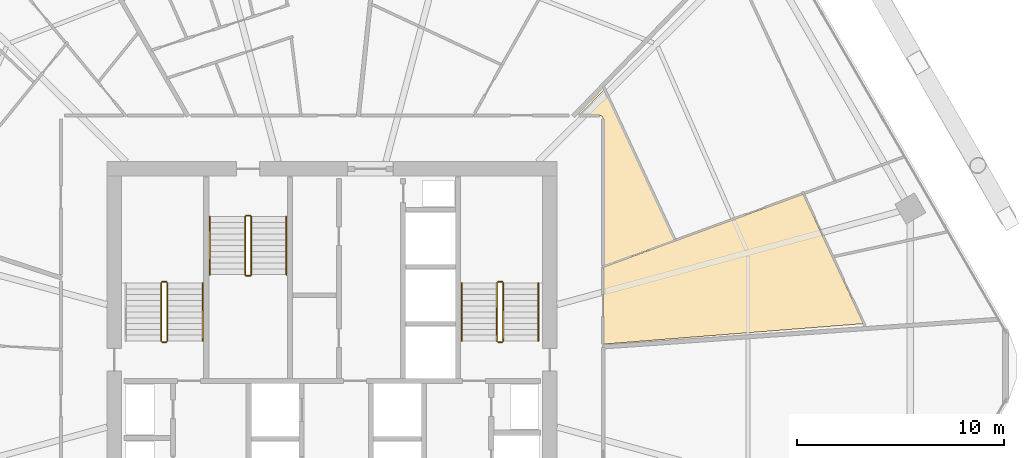
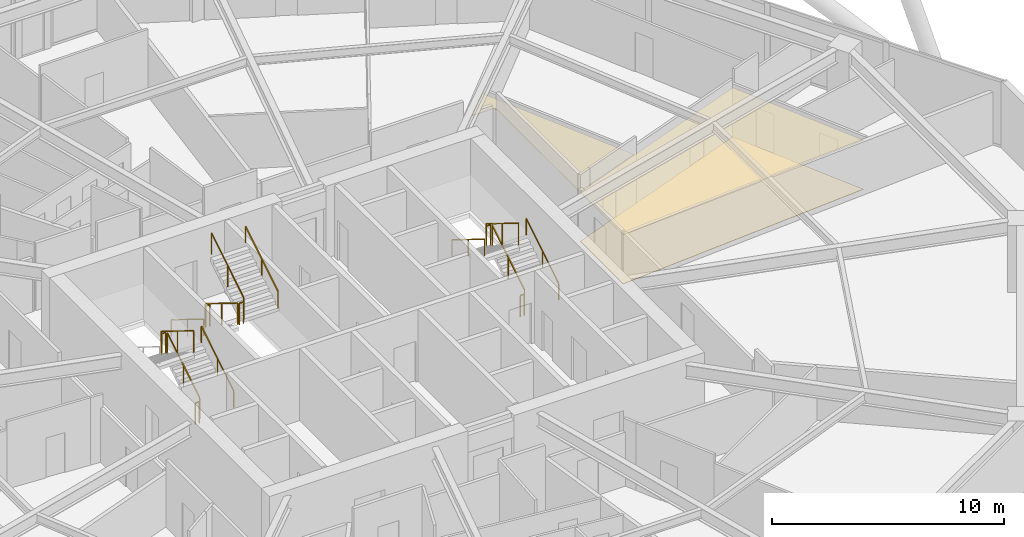
# One storey, part 34 of 35: 17 railings, 3 coverings.
"""IFC4 building model written with IfcOpenShell, lengths in metres."""

import ifcopenshell
import ifcopenshell.guid

model = None  # the IFC model being written
_history = None  # IfcOwnerHistory: only IFC2X3 demands one
_inside = {}  # id of a spatial element -> (the spatial element, [elements in it])
_under = {}  # id of a project, library or spatial element -> (it, [spatial elements below it])
_declared = {}  # id of a project -> (the project, [libraries it declares])
_typed = {}  # id of a type object -> (the type object, [elements of that type])
_made_of = {}  # id of a material, layer set ... -> (it, [elements and type objects made of it])


def new_model(schema):
    """Start an empty IFC model of exactly this schema.

    Asked for "IFC4X3", IfcOpenShell would pick the latest addendum, in which some entities
    have other attributes; the version numbers below select the first issue.
    IFC2X3 requires an IfcOwnerHistory on every rooted entity: one is made here for all.
    """
    global model, _history
    if schema == "IFC4X3":
        model = ifcopenshell.file(schema_version=(4, 3, 0, 0))
    else:
        model = ifcopenshell.file(schema=schema)
    _inside.clear()
    _under.clear()
    _declared.clear()
    _typed.clear()
    _made_of.clear()
    _history = None
    if model.schema == "IFC2X3":
        org = make("IfcOrganization", Name="unknown")
        user = make(
            "IfcPersonAndOrganization",
            ThePerson=make("IfcPerson", FamilyName="unknown"),
            TheOrganization=org,
        )
        app = make(
            "IfcApplication",
            ApplicationDeveloper=org,
            Version="unknown",
            ApplicationFullName="unknown",
            ApplicationIdentifier="unknown",
        )
        _history = make(
            "IfcOwnerHistory",
            OwningUser=user,
            OwningApplication=app,
            ChangeAction="ADDED",
            CreationDate=0,
        )
    return model


def make(cls, **values):
    """One entity of the class cls with the attributes given. An attribute that is None is left unset."""
    return model.create_entity(
        cls, **{name: value for name, value in values.items() if value is not None}
    )


def rooted(cls, **values):
    """An entity with a GlobalId (a new one), such as an element, a storey or a relation."""
    return make(cls, GlobalId=ifcopenshell.guid.new(), OwnerHistory=_history, **values)


def si_unit(unit_type, name, prefix=None):
    """IfcSIUnit, for example si_unit("LENGTHUNIT", "METRE", prefix="MILLI")."""
    return make("IfcSIUnit", UnitType=unit_type, Prefix=prefix, Name=name)


def assignment(units):
    """IfcUnitAssignment: the units of a project."""
    return None if units is None else make("IfcUnitAssignment", Units=units)


def point(xyz):
    """IfcCartesianPoint."""
    return None if xyz is None else make("IfcCartesianPoint", Coordinates=xyz)


def direction(xyz):
    """IfcDirection."""
    return None if xyz is None else make("IfcDirection", DirectionRatios=xyz)


def frame(location, z_axis=None, x_axis=None):
    """IfcAxis2Placement3D, a coordinate frame: its origin and axes. An axis left out is left unset."""
    return make(
        "IfcAxis2Placement3D",
        Location=point(location),
        Axis=direction(z_axis),
        RefDirection=direction(x_axis),
    )


def frame_2d(location, x_axis=None):
    """IfcAxis2Placement2D, a coordinate frame in the plane: its origin and x axis."""
    return make(
        "IfcAxis2Placement2D", Location=point(location), RefDirection=direction(x_axis)
    )


def origin():
    """The frame at (0, 0, 0) with its axes left unset."""
    return frame((0.0, 0.0, 0.0))


def origin_2d():
    """The frame at (0, 0) in the plane with its x axis left unset."""
    return frame_2d((0.0, 0.0))


def place(relative_to, where):
    """IfcLocalPlacement: puts the frame where relative to a parent placement (None: the world)."""
    return make(
        "IfcLocalPlacement", PlacementRelTo=relative_to, RelativePlacement=where
    )


def context(
    kind, dimensions, precision=None, world=None, true_north=None, identifier=None
):
    """IfcGeometricRepresentationContext, for example the 3D "Model" context."""
    return make(
        "IfcGeometricRepresentationContext",
        ContextIdentifier=identifier,
        ContextType=kind,
        CoordinateSpaceDimension=dimensions,
        Precision=precision,
        WorldCoordinateSystem=world,
        TrueNorth=true_north,
    )


def subcontext(parent, identifier, kind, view, scale=None):
    """IfcGeometricRepresentationSubContext, for example "Body" below "Model"."""
    return make(
        "IfcGeometricRepresentationSubContext",
        ContextIdentifier=identifier,
        ContextType=kind,
        ParentContext=parent,
        TargetScale=scale,
        TargetView=view,
    )


def project(units=None, contexts=None):
    """IfcProject with its units and contexts."""
    return rooted(
        "IfcProject",
        Name="project",
        RepresentationContexts=contexts,
        UnitsInContext=assignment(units),
    )


def spatial(cls, under=None, at=None, **own):
    """A site, building, storey or space (cls), placed at a placement, below another one or the project."""
    s = rooted(cls, ObjectPlacement=at, **own)
    if under is not None:
        _under.setdefault(under.id(), (under, []))[1].append(s)
    return s


def polyline(points):
    """IfcPolyline through the points."""
    return make("IfcPolyline", Points=[point(p) for p in points])


def profile(cls, at=None, kind="AREA", **sizes):
    """A parametric profile (cls). Its sizes go by their IFC names, for example OverallWidth=200.0."""
    return make(cls, ProfileType=kind, Position=at, **sizes)


def rectangle(**sizes):
    """IfcRectangleProfileDef."""
    return profile("IfcRectangleProfileDef", **sizes)


def outline(outer, holes=None, kind="AREA"):
    """IfcArbitraryClosedProfileDef: a profile drawn as a closed curve; with holes, ...WithVoids."""
    if holes is None:
        return make("IfcArbitraryClosedProfileDef", ProfileType=kind, OuterCurve=outer)
    return make(
        "IfcArbitraryProfileDefWithVoids",
        ProfileType=kind,
        OuterCurve=outer,
        InnerCurves=holes,
    )


def extrude(swept, where, along, depth):
    """IfcExtrudedAreaSolid: the profile swept, set in the frame where, extruded along a direction by depth."""
    return make(
        "IfcExtrudedAreaSolid",
        SweptArea=swept,
        Position=where,
        ExtrudedDirection=direction(along),
        Depth=depth,
    )


def shape(context_of_items, identifier, shape_type, items):
    """IfcShapeRepresentation: the items that make up one representation, for example the "Body"."""
    return make(
        "IfcShapeRepresentation",
        ContextOfItems=context_of_items,
        RepresentationIdentifier=identifier,
        RepresentationType=shape_type,
        Items=items,
    )


def material(Name=None, Category=None):
    """IfcMaterial."""
    return make("IfcMaterial", Name=Name, Category=Category)


def layer(
    of_material, thickness, ventilated=None, Name=None, Category=None, Priority=None
):
    """IfcMaterialLayer: one layer of a wall or slab, of a material (None: an air gap)."""
    return make(
        "IfcMaterialLayer",
        Material=of_material,
        LayerThickness=thickness,
        IsVentilated=ventilated,
        Name=Name,
        Category=Category,
        Priority=Priority,
    )


def layer_set(layers, Name=None):
    """IfcMaterialLayerSet."""
    return make("IfcMaterialLayerSet", MaterialLayers=layers, LayerSetName=Name)


def made_of(thing, what):
    """Note that an element or type object is made of a material, layer set ...; save() writes the relation."""
    if what is not None:
        _made_of.setdefault(what.id(), (what, []))[1].append(thing)
    return thing


def type_object(cls, material=None, **own):
    """A type object (cls), such as IfcWallType, which elements share."""
    return made_of(rooted(cls, **own), material)


def element(
    cls,
    number,
    at=None,
    inside=None,
    cuts=None,
    type_object=None,
    material=None,
    context=None,
    identifier="Body",
    shape_type=None,
    held_by="IfcProductDefinitionShape",
    body=None,
    shapes=None,
    **own,
):
    """One element of the class cls, such as IfcWall. Its Tag is "e" and its number.

    at: its placement. inside: the storey or other place that contains it. cuts: it is an
    opening in that element (IfcRelVoidsElement). A single representation is given by context,
    identifier, shape_type and body (its items); several are given by shapes. held_by: the class
    of the entity that holds the representations. save() writes the other relations.
    """
    e = rooted(cls, Tag="e%d" % number, ObjectPlacement=at, **own)
    if body is not None:
        shapes = [shape(context, identifier, shape_type, body)]
    if shapes is not None:
        e.Representation = make(held_by, Representations=shapes)
    if inside is not None:
        _inside.setdefault(inside.id(), (inside, []))[1].append(e)
    if cuts is not None:
        rooted(
            "IfcRelVoidsElement", RelatingBuildingElement=cuts, RelatedOpeningElement=e
        )
    if type_object is not None:
        _typed.setdefault(type_object.id(), (type_object, []))[1].append(e)
    return made_of(e, material)


def aggregate(whole, parts):
    """IfcRelAggregates: a whole, such as a stair, and the parts it consists of."""
    return rooted("IfcRelAggregates", RelatingObject=whole, RelatedObjects=parts)


def save(model, path):
    """Write the relations noted so far, then the file.

    IfcRelAggregates (storeys below a building ...), IfcRelContainedInSpatialStructure (elements
    in a storey), IfcRelDefinesByType, IfcRelAssociatesMaterial and IfcRelDeclares: one each for
    every whole, place, type object, material and project.
    """
    for whole, parts in _under.values():
        aggregate(whole, parts)
    for where, things in _inside.values():
        rooted(
            "IfcRelContainedInSpatialStructure",
            RelatedElements=things,
            RelatingStructure=where,
        )
    for kind, things in _typed.values():
        rooted("IfcRelDefinesByType", RelatedObjects=things, RelatingType=kind)
    for what, things in _made_of.values():
        rooted("IfcRelAssociatesMaterial", RelatedObjects=things, RelatingMaterial=what)
    for by, libraries in _declared.values():
        rooted("IfcRelDeclares", RelatingContext=by, RelatedDefinitions=libraries)
    model.write(path)


model = new_model("IFC4")

# Units and contexts
model_context = context("Model", 3, precision=1e-05, world=origin(), true_north=direction((0.0, 1.0)))
body_context = subcontext(model_context, "Body", "Model", "MODEL_VIEW")
ifc_project = project(units=[si_unit("LENGTHUNIT", "METRE"), si_unit("AREAUNIT", "SQUARE_METRE"), si_unit("VOLUMEUNIT", "CUBIC_METRE"), si_unit("PLANEANGLEUNIT", "RADIAN"), si_unit("MASSUNIT", "GRAM", prefix="KILO")], contexts=[model_context])

# Site, building, storey
site_placement = place(None, origin())
site = spatial("IfcSite", under=ifc_project, at=site_placement, CompositionType="ELEMENT")
building_placement = place(site_placement, origin())
building = spatial("IfcBuilding", under=site, at=building_placement, Name="Zuhravey Tower", CompositionType="ELEMENT")
storey_placement = place(building_placement, frame((0.0, 0.0, 92.39990234375)))
storey = spatial("IfcBuildingStorey", under=building, at=storey_placement, Name="L22", CompositionType="ELEMENT", Elevation=92.39990234375)

# Coverings
ifc_material_1 = material(Name="Mineral-fibre acoustic ceiling tile")
ifc_layer_1 = layer(ifc_material_1, 0.02490234375)
ifc_layer_set_1 = layer_set([ifc_layer_1], Name="Mineral-fibre acoustic ceiling tile")
covering_type_1 = type_object("IfcCoveringType", Name="Acoustic Suspended Ceiling", PredefinedType="CEILING", material=ifc_layer_set_1)
covering_1_placement = place(storey_placement, frame((0.0, 0.0, 2.590087890625)))
element("IfcCovering", 1, at=covering_1_placement, inside=storey, type_object=covering_type_1, Name="L22 Acoustic Suspended Ceiling CLG1", PredefinedType="CEILING", context=body_context, shape_type="SweptSolid", body=[
    extrude(outline(polyline([(58.716064453125, 40.28271484375), (61.62841796875, 34.037109375), (49.080078125, 33.049560546875), (49.080078125, 36.760009765625), (58.716064453125, 40.28271484375)])), origin(), (0.0, 0.0, 1.0), 0.02490234375),
])
ifc_material_2 = material(Name="Porcelain tile finish")
ifc_layer_2 = layer(ifc_material_2, 0.02001953125)
ifc_layer_set_2 = layer_set([ifc_layer_2], Name="Porcelain tile finish")
covering_type_2 = type_object("IfcCoveringType", Name="Apartment Ondol Porcelain Flooring", PredefinedType="FLOORING", material=ifc_layer_set_2)
covering_2_placement = place(storey_placement, origin())
element("IfcCovering", 2, at=covering_2_placement, inside=storey, type_object=covering_type_2, Name="L22 Principal Room Acoustic Flooring", PredefinedType="FLOORING", context=body_context, shape_type="SweptSolid", body=[
    extrude(outline(polyline([(58.716064453125, 40.28271484375), (61.62841796875, 34.037109375), (49.080078125, 33.049560546875), (49.080078125, 36.760009765625), (58.716064453125, 40.28271484375)])), origin(), (0.0, 0.0, 1.0), 0.02001953125),
])
ifc_material_3 = material(Name="Moisture-resistant gypsum ceiling board")
ifc_layer_3 = layer(ifc_material_3, 0.02001953125)
ifc_layer_set_3 = layer_set([ifc_layer_3], Name="Moisture-resistant gypsum ceiling board")
covering_type_3 = type_object("IfcCoveringType", Name="Moisture-Resistant Ceiling", PredefinedType="CEILING", material=ifc_layer_set_3)
covering_3_placement = place(storey_placement, frame((0.0, 0.0, 2.590087890625)))
element("IfcCovering", 3, at=covering_3_placement, inside=storey, type_object=covering_type_3, Name="L22 Wet-Room Ceiling CLG2", PredefinedType="CEILING", context=body_context, shape_type="SweptSolid", body=[
    extrude(outline(polyline([(49.0791015625, 43.916748046875), (49.06591796875, 43.9697265625), (49.05029296875, 43.999267578125), (49.028076171875, 44.026611328125), (48.98388671875, 44.05908203125), (48.951416015625, 44.072509765625), (48.918701171875, 44.0791015625), (47.89892578125, 44.080078125), (49.12939453125, 45.33203125), (52.520263671875, 38.060302734375), (49.080078125, 36.802734375), (49.0791015625, 43.916748046875)])), origin(), (0.0, 0.0, 1.0), 0.02001953125),
])

# Railings
ifc_material_4 = material(Name="Brushed stainless steel", Category="steel")
railing_type_1 = type_object("IfcRailingType", Name="Stair Wall Handrail 900", PredefinedType="HANDRAIL", material=ifc_material_4)
for number, where, name in (
    (4, (29.75, 33.199951171875, 0.1728515625), "L22 ST1 stair handrail 1"),
    (5, (45.949951171875, 33.199951171875, 0.1728515625), "L22 ST2 stair handrail 1"),
):
    element("IfcRailing", number, at=place(storey_placement, frame(where)), inside=storey, type_object=railing_type_1, Name=name, PredefinedType="HANDRAIL", context=body_context, shape_type="SweptSolid", body=[
        extrude(rectangle(XDim=0.048095703125, YDim=0.048095703125, at=origin_2d()), frame((0.0, 0.001708984375, 0.876953125), z_axis=(0.0, 0.851089632645, 0.525020415988), x_axis=(-1.0, 0.0, 0.0)), (0.0, 0.0, 1.0), 3.285888671875),
        extrude(rectangle(XDim=0.0419921875, YDim=0.0419921875, at=origin_2d()), origin(), (0.0, 0.0, 1.0), 0.849853515625),
        extrude(rectangle(XDim=0.0419921875, YDim=0.0419921875, at=origin_2d()), frame((0.0, 1.39990234375, 0.86376953125)), (0.0, 0.0, 1.0), 0.849853515625),
        extrude(rectangle(XDim=0.0419921875, YDim=0.0419921875, at=origin_2d()), frame((0.0, 2.800048828125, 1.727294921875)), (0.0, 0.0, 1.0), 0.849853515625),
    ])
for number, where, name in (
    (6, (42.25, 36.0, 2.07275390625), "L22 ST2 stair handrail 2"),
    (7, (30.10009765625, 39.199951171875, 0.1728515625), "L22 ST3 stair handrail 1"),
):
    element("IfcRailing", number, at=place(storey_placement, frame(where)), inside=storey, type_object=railing_type_1, Name=name, PredefinedType="HANDRAIL", context=body_context, shape_type="SweptSolid", body=[
        extrude(rectangle(XDim=0.048095703125, YDim=0.048095703125, at=origin_2d()), frame((0.0, -0.001708984375, 0.876953125), z_axis=(0.0, -0.851089632645, 0.525020415988), x_axis=(1.0, 0.0, 0.0)), (0.0, 0.0, 1.0), 3.285888671875),
        extrude(rectangle(XDim=0.0419921875, YDim=0.0419921875, at=origin_2d()), origin(), (0.0, 0.0, 1.0), 0.849853515625),
        extrude(rectangle(XDim=0.0419921875, YDim=0.0419921875, at=origin_2d()), frame((0.0, -1.39990234375, 0.86376953125)), (0.0, 0.0, 1.0), 0.849853515625),
        extrude(rectangle(XDim=0.0419921875, YDim=0.0419921875, at=origin_2d()), frame((0.0, -2.800048828125, 1.727294921875)), (0.0, 0.0, 1.0), 0.849853515625),
    ])
railing_1_placement = place(storey_placement, frame((33.800048828125, 36.39990234375, 2.07275390625)))
element("IfcRailing", 8, at=railing_1_placement, inside=storey, type_object=railing_type_1, Name="L22 ST3 stair handrail 2", PredefinedType="HANDRAIL", context=body_context, shape_type="SweptSolid", body=[
    extrude(rectangle(XDim=0.048095703125, YDim=0.048095703125, at=origin_2d()), frame((0.0, 0.001708984375, 0.876953125), z_axis=(0.0, 0.851089632645, 0.525020415988), x_axis=(-1.0, 0.0, 0.0)), (0.0, 0.0, 1.0), 3.285888671875),
    extrude(rectangle(XDim=0.0419921875, YDim=0.0419921875, at=origin_2d()), origin(), (0.0, 0.0, 1.0), 0.849853515625),
    extrude(rectangle(XDim=0.0419921875, YDim=0.0419921875, at=origin_2d()), frame((0.0, 1.39990234375, 0.86376953125)), (0.0, 0.0, 1.0), 0.849853515625),
    extrude(rectangle(XDim=0.0419921875, YDim=0.0419921875, at=origin_2d()), frame((0.0, 2.800048828125, 1.727294921875)), (0.0, 0.0, 1.0), 0.849853515625),
])
ifc_material_5 = material(Name="Painted tubular steel", Category="steel")
railing_type_2 = type_object("IfcRailingType", Name="Stair Well Guardrail 1150", PredefinedType="GUARDRAIL", material=ifc_material_5)
railing_2_placement = place(storey_placement, frame((28.050048828125, 33.199951171875, 0.1728515625)))
element("IfcRailing", 9, at=railing_2_placement, inside=storey, type_object=railing_type_2, Name="L22 ST1 stair guard 1", PredefinedType="GUARDRAIL", context=body_context, shape_type="SweptSolid", body=[
    extrude(rectangle(XDim=0.048095703125, YDim=0.048095703125, at=origin_2d()), frame((0.0, 0.001708984375, 1.126953125), z_axis=(0.0, 0.851089632645, 0.525020415988), x_axis=(-1.0, 0.0, 0.0)), (0.0, 0.0, 1.0), 3.285888671875),
    extrude(rectangle(XDim=0.0419921875, YDim=0.0419921875, at=origin_2d()), origin(), (0.0, 0.0, 1.0), 1.099853515625),
    extrude(rectangle(XDim=0.0419921875, YDim=0.0419921875, at=origin_2d()), frame((0.0, 1.39990234375, 0.86376953125)), (0.0, 0.0, 1.0), 1.099853515625),
    extrude(rectangle(XDim=0.0419921875, YDim=0.0419921875, at=origin_2d()), frame((0.0, 2.800048828125, 1.727294921875)), (0.0, 0.0, 1.0), 1.099853515625),
])
railing_3_placement = place(storey_placement, frame((28.0, 36.050048828125, 1.900146484375)))
element("IfcRailing", 10, at=railing_3_placement, inside=storey, type_object=railing_type_2, Name="L22 ST1 stair guard 2", PredefinedType="GUARDRAIL", context=body_context, shape_type="SweptSolid", body=[
    extrude(rectangle(XDim=0.048095703125, YDim=0.048095703125, at=origin_2d()), frame((-0.001953125, 0.0, 1.1259765625), z_axis=(-1.0, 0.0, 0.0), x_axis=(0.0, -1.0, 0.0)), (0.0, 0.0, 1.0), 0.196044921875),
    extrude(rectangle(XDim=0.0419921875, YDim=0.0419921875, at=origin_2d()), origin(), (0.0, 0.0, 1.0), 1.099853515625),
    extrude(rectangle(XDim=0.0419921875, YDim=0.0419921875, at=origin_2d()), frame((-0.199951171875, 0.0, 0.0)), (0.0, 0.0, 1.0), 1.099853515625),
])
railing_4_placement = place(storey_placement, frame((27.75, 36.0, 2.07275390625)))
element("IfcRailing", 11, at=railing_4_placement, inside=storey, type_object=railing_type_2, Name="L22 ST1 stair guard 3", PredefinedType="GUARDRAIL", context=body_context, shape_type="SweptSolid", body=[
    extrude(rectangle(XDim=0.048095703125, YDim=0.048095703125, at=origin_2d()), frame((0.0, -0.001708984375, 1.126953125), z_axis=(0.0, -0.851089632645, 0.525020415988), x_axis=(1.0, 0.0, 0.0)), (0.0, 0.0, 1.0), 3.285888671875),
    extrude(rectangle(XDim=0.0419921875, YDim=0.0419921875, at=origin_2d()), origin(), (0.0, 0.0, 1.0), 1.099853515625),
    extrude(rectangle(XDim=0.0419921875, YDim=0.0419921875, at=origin_2d()), frame((0.0, -1.39990234375, 0.86376953125)), (0.0, 0.0, 1.0), 1.099853515625),
    extrude(rectangle(XDim=0.0419921875, YDim=0.0419921875, at=origin_2d()), frame((0.0, -2.800048828125, 1.727294921875)), (0.0, 0.0, 1.0), 1.099853515625),
])
railing_5_placement = place(storey_placement, frame((28.0, 33.14990234375, 0.0)))
element("IfcRailing", 12, at=railing_5_placement, inside=storey, type_object=railing_type_2, Name="L22 ST1 stair guard 4", PredefinedType="GUARDRAIL", context=body_context, shape_type="SweptSolid", body=[
    extrude(rectangle(XDim=0.048095703125, YDim=0.048095703125, at=origin_2d()), frame((-0.001953125, 0.0, 1.1259765625), z_axis=(-1.0, 0.0, 0.0), x_axis=(0.0, -1.0, 0.0)), (0.0, 0.0, 1.0), 0.196044921875),
    extrude(rectangle(XDim=0.0419921875, YDim=0.0419921875, at=origin_2d()), origin(), (0.0, 0.0, 1.0), 1.099853515625),
    extrude(rectangle(XDim=0.0419921875, YDim=0.0419921875, at=origin_2d()), frame((-0.199951171875, 0.0, 0.0)), (0.0, 0.0, 1.0), 1.099853515625),
])
railing_6_placement = place(storey_placement, frame((44.25, 33.199951171875, 0.1728515625)))
element("IfcRailing", 13, at=railing_6_placement, inside=storey, type_object=railing_type_2, Name="L22 ST2 stair guard 1", PredefinedType="GUARDRAIL", context=body_context, shape_type="SweptSolid", body=[
    extrude(rectangle(XDim=0.048095703125, YDim=0.048095703125, at=origin_2d()), frame((0.0, 0.001708984375, 1.126953125), z_axis=(0.0, 0.851089632645, 0.525020415988), x_axis=(-1.0, 0.0, 0.0)), (0.0, 0.0, 1.0), 3.285888671875),
    extrude(rectangle(XDim=0.0419921875, YDim=0.0419921875, at=origin_2d()), origin(), (0.0, 0.0, 1.0), 1.099853515625),
    extrude(rectangle(XDim=0.0419921875, YDim=0.0419921875, at=origin_2d()), frame((0.0, 1.39990234375, 0.86376953125)), (0.0, 0.0, 1.0), 1.099853515625),
    extrude(rectangle(XDim=0.0419921875, YDim=0.0419921875, at=origin_2d()), frame((0.0, 2.800048828125, 1.727294921875)), (0.0, 0.0, 1.0), 1.099853515625),
])
railing_7_placement = place(storey_placement, frame((44.199951171875, 36.050048828125, 1.900146484375)))
element("IfcRailing", 14, at=railing_7_placement, inside=storey, type_object=railing_type_2, Name="L22 ST2 stair guard 2", PredefinedType="GUARDRAIL", context=body_context, shape_type="SweptSolid", body=[
    extrude(rectangle(XDim=0.048095703125, YDim=0.048095703125, at=origin_2d()), frame((-0.001953125, 0.0, 1.1259765625), z_axis=(-1.0, 0.0, 0.0), x_axis=(0.0, -1.0, 0.0)), (0.0, 0.0, 1.0), 0.196044921875),
    extrude(rectangle(XDim=0.0419921875, YDim=0.0419921875, at=origin_2d()), origin(), (0.0, 0.0, 1.0), 1.099853515625),
    extrude(rectangle(XDim=0.0419921875, YDim=0.0419921875, at=origin_2d()), frame((-0.199951171875, 0.0, 0.0)), (0.0, 0.0, 1.0), 1.099853515625),
])
railing_8_placement = place(storey_placement, frame((43.949951171875, 36.0, 2.07275390625)))
element("IfcRailing", 15, at=railing_8_placement, inside=storey, type_object=railing_type_2, Name="L22 ST2 stair guard 3", PredefinedType="GUARDRAIL", context=body_context, shape_type="SweptSolid", body=[
    extrude(rectangle(XDim=0.048095703125, YDim=0.048095703125, at=origin_2d()), frame((0.0, -0.001708984375, 1.126953125), z_axis=(0.0, -0.851089632645, 0.525020415988), x_axis=(1.0, 0.0, 0.0)), (0.0, 0.0, 1.0), 3.285888671875),
    extrude(rectangle(XDim=0.0419921875, YDim=0.0419921875, at=origin_2d()), origin(), (0.0, 0.0, 1.0), 1.099853515625),
    extrude(rectangle(XDim=0.0419921875, YDim=0.0419921875, at=origin_2d()), frame((0.0, -1.39990234375, 0.86376953125)), (0.0, 0.0, 1.0), 1.099853515625),
    extrude(rectangle(XDim=0.0419921875, YDim=0.0419921875, at=origin_2d()), frame((0.0, -2.800048828125, 1.727294921875)), (0.0, 0.0, 1.0), 1.099853515625),
])
railing_9_placement = place(storey_placement, frame((44.199951171875, 33.14990234375, 0.0)))
element("IfcRailing", 16, at=railing_9_placement, inside=storey, type_object=railing_type_2, Name="L22 ST2 stair guard 4", PredefinedType="GUARDRAIL", context=body_context, shape_type="SweptSolid", body=[
    extrude(rectangle(XDim=0.048095703125, YDim=0.048095703125, at=origin_2d()), frame((-0.001953125, 0.0, 1.1259765625), z_axis=(-1.0, 0.0, 0.0), x_axis=(0.0, -1.0, 0.0)), (0.0, 0.0, 1.0), 0.196044921875),
    extrude(rectangle(XDim=0.0419921875, YDim=0.0419921875, at=origin_2d()), origin(), (0.0, 0.0, 1.0), 1.099853515625),
    extrude(rectangle(XDim=0.0419921875, YDim=0.0419921875, at=origin_2d()), frame((-0.199951171875, 0.0, 0.0)), (0.0, 0.0, 1.0), 1.099853515625),
])
railing_10_placement = place(storey_placement, frame((31.800048828125, 39.199951171875, 0.1728515625)))
element("IfcRailing", 17, at=railing_10_placement, inside=storey, type_object=railing_type_2, Name="L22 ST3 stair guard 1", PredefinedType="GUARDRAIL", context=body_context, shape_type="SweptSolid", body=[
    extrude(rectangle(XDim=0.048095703125, YDim=0.048095703125, at=origin_2d()), frame((0.0, -0.001708984375, 1.126953125), z_axis=(0.0, -0.851089632645, 0.525020415988), x_axis=(1.0, 0.0, 0.0)), (0.0, 0.0, 1.0), 3.285888671875),
    extrude(rectangle(XDim=0.0419921875, YDim=0.0419921875, at=origin_2d()), origin(), (0.0, 0.0, 1.0), 1.099853515625),
    extrude(rectangle(XDim=0.0419921875, YDim=0.0419921875, at=origin_2d()), frame((0.0, -1.39990234375, 0.86376953125)), (0.0, 0.0, 1.0), 1.099853515625),
    extrude(rectangle(XDim=0.0419921875, YDim=0.0419921875, at=origin_2d()), frame((0.0, -2.800048828125, 1.727294921875)), (0.0, 0.0, 1.0), 1.099853515625),
])
railing_11_placement = place(storey_placement, frame((31.85009765625, 36.35009765625, 1.900146484375)))
element("IfcRailing", 18, at=railing_11_placement, inside=storey, type_object=railing_type_2, Name="L22 ST3 stair guard 2", PredefinedType="GUARDRAIL", context=body_context, shape_type="SweptSolid", body=[
    extrude(rectangle(XDim=0.048095703125, YDim=0.048095703125, at=origin_2d()), frame((0.001953125, 0.0, 1.1259765625), z_axis=(1.0, 0.0, 0.0), x_axis=(0.0, 1.0, 0.0)), (0.0, 0.0, 1.0), 0.196044921875),
    extrude(rectangle(XDim=0.0419921875, YDim=0.0419921875, at=origin_2d()), origin(), (0.0, 0.0, 1.0), 1.099853515625),
    extrude(rectangle(XDim=0.0419921875, YDim=0.0419921875, at=origin_2d()), frame((0.199951171875, 0.0, 0.0)), (0.0, 0.0, 1.0), 1.099853515625),
])
railing_12_placement = place(storey_placement, frame((32.10009765625, 36.39990234375, 2.07275390625)))
element("IfcRailing", 19, at=railing_12_placement, inside=storey, type_object=railing_type_2, Name="L22 ST3 stair guard 3", PredefinedType="GUARDRAIL", context=body_context, shape_type="SweptSolid", body=[
    extrude(rectangle(XDim=0.048095703125, YDim=0.048095703125, at=origin_2d()), frame((0.0, 0.001708984375, 1.126953125), z_axis=(0.0, 0.851089632645, 0.525020415988), x_axis=(-1.0, 0.0, 0.0)), (0.0, 0.0, 1.0), 3.285888671875),
    extrude(rectangle(XDim=0.0419921875, YDim=0.0419921875, at=origin_2d()), origin(), (0.0, 0.0, 1.0), 1.099853515625),
    extrude(rectangle(XDim=0.0419921875, YDim=0.0419921875, at=origin_2d()), frame((0.0, 1.39990234375, 0.86376953125)), (0.0, 0.0, 1.0), 1.099853515625),
    extrude(rectangle(XDim=0.0419921875, YDim=0.0419921875, at=origin_2d()), frame((0.0, 2.800048828125, 1.727294921875)), (0.0, 0.0, 1.0), 1.099853515625),
])
railing_13_placement = place(storey_placement, frame((31.85009765625, 39.25, 0.0)))
element("IfcRailing", 20, at=railing_13_placement, inside=storey, type_object=railing_type_2, Name="L22 ST3 stair guard 4", PredefinedType="GUARDRAIL", context=body_context, shape_type="SweptSolid", body=[
    extrude(rectangle(XDim=0.048095703125, YDim=0.048095703125, at=origin_2d()), frame((0.001953125, 0.0, 1.1259765625), z_axis=(1.0, 0.0, 0.0), x_axis=(0.0, 1.0, 0.0)), (0.0, 0.0, 1.0), 0.196044921875),
    extrude(rectangle(XDim=0.0419921875, YDim=0.0419921875, at=origin_2d()), origin(), (0.0, 0.0, 1.0), 1.099853515625),
    extrude(rectangle(XDim=0.0419921875, YDim=0.0419921875, at=origin_2d()), frame((0.199951171875, 0.0, 0.0)), (0.0, 0.0, 1.0), 1.099853515625),
])

save(model, "model.ifc")
